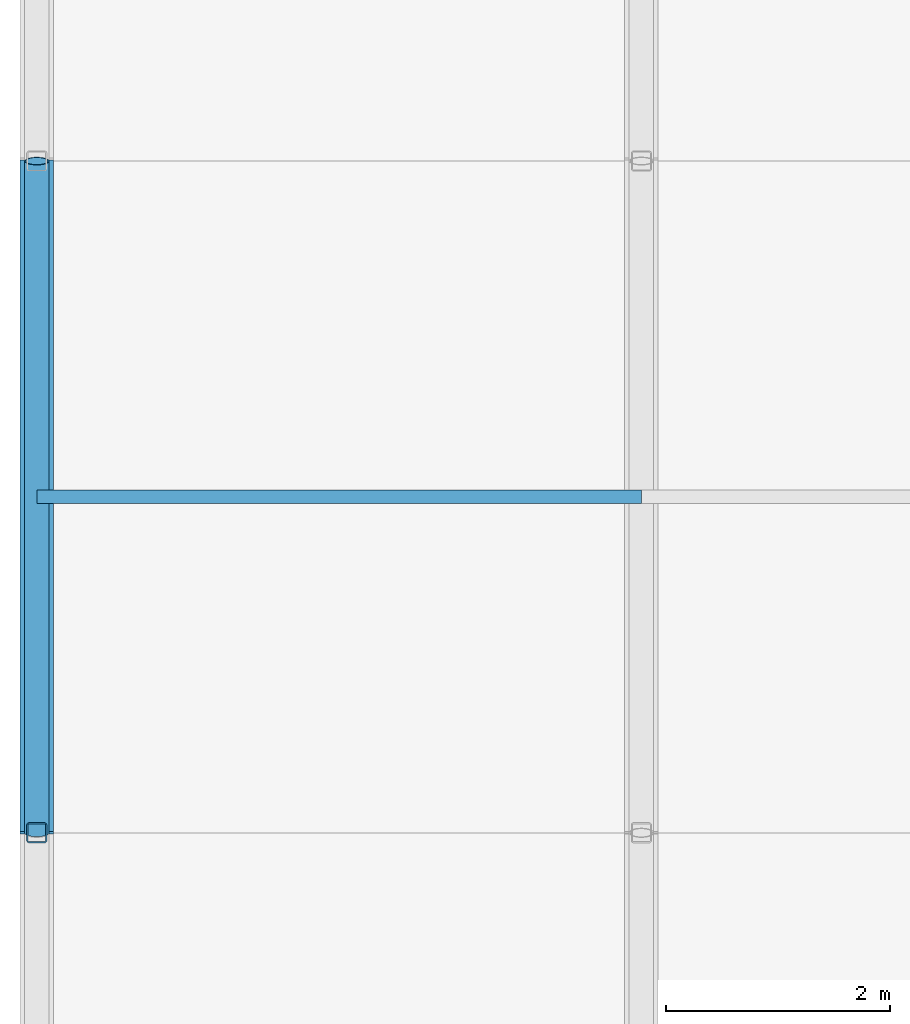
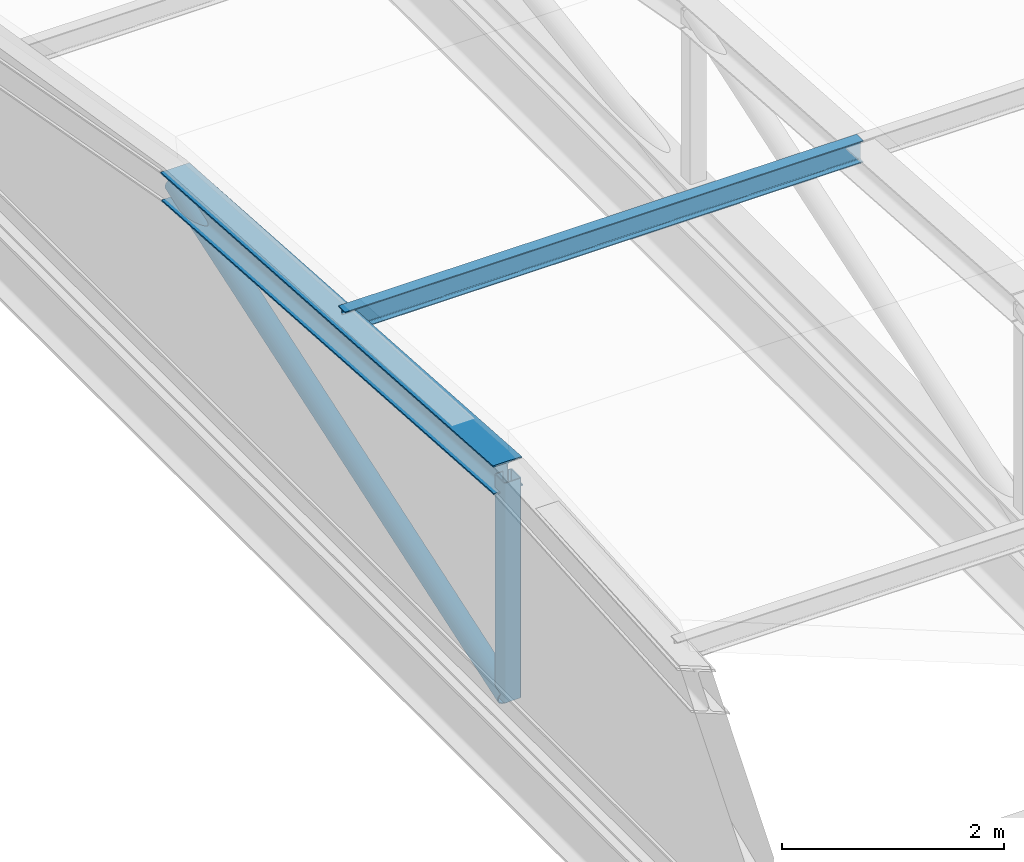
# One storey, part 23 of 76: 3 members, 1 beam.
"""IFC4 building model written with IfcOpenShell, lengths in metres."""

from ifc_helpers import new_model, si_unit, direction, frame, origin, origin_2d, place, context, subcontext, project, spatial, hollow_rectangle, hollow_circle, i_section, extrude, material, material_profile, profile_set, type_object, element, save


model = new_model("IFC4")

# Units and contexts
model_context = context("Model", 3, precision=1e-05, world=origin(), true_north=direction((0.0, 1.0)))
body_context = subcontext(model_context, "Body", "Model", "MODEL_VIEW")
ifc_project = project(units=[si_unit("LENGTHUNIT", "METRE"), si_unit("AREAUNIT", "SQUARE_METRE"), si_unit("VOLUMEUNIT", "CUBIC_METRE"), si_unit("PLANEANGLEUNIT", "RADIAN"), si_unit("MASSUNIT", "GRAM", prefix="KILO")], contexts=[model_context])

# Site, building, storey
site_placement = place(None, origin())
site = spatial("IfcSite", under=ifc_project, at=site_placement, CompositionType="ELEMENT")
building_placement = place(site_placement, origin())
building = spatial("IfcBuilding", under=site, at=building_placement, Name="Zlatovets Crest Museum", CompositionType="ELEMENT")
storey_placement = place(building_placement, frame((0.0, 0.0, 17.10009765625)))
storey = spatial("IfcBuildingStorey", under=building, at=storey_placement, Name="L04", CompositionType="ELEMENT", Elevation=17.10009765625)

# Beam
ifc_material = material(Name="Structural steel S355J2", Category="steel")
ifc_material_profile_1 = material_profile(ifc_material, i_section(OverallWidth=0.1201171875, OverallDepth=0.239990234375, WebThickness=0.006103515625, FlangeThickness=0.009765625, FilletRadius=0.014892578125, at=origin_2d()), Name="IPE 240")
ifc_profile_set_1 = profile_set([ifc_material_profile_1], Name="Structural steel S355J2")
beam_type = type_object("IfcBeamType", Name="Beam_PR-01", PredefinedType="BEAM", material=ifc_profile_set_1)
beam_placement = place(storey_placement, frame((-3.60009765625, 78.60009765625, 2.39892578125), z_axis=(1.0, 0.0, 0.0), x_axis=(0.0, 1.0, 0.0)))
element("IfcBeam", 1, at=beam_placement, inside=storey, type_object=beam_type, Name="V4 Barrel Vault Longitudinal Purlin", PredefinedType="BEAM", context=body_context, shape_type="SweptSolid", body=[
    extrude(i_section(OverallWidth=0.1201171875, OverallDepth=0.239990234375, WebThickness=0.006103515625, FlangeThickness=0.009765625, FilletRadius=0.014892578125, at=origin_2d()), origin(), (0.0, 0.0, 1.0), 5.400146484375),
])

# Members
ifc_material_profile_2 = material_profile(ifc_material, i_section(OverallWidth=0.300048828125, OverallDepth=0.31005859375, WebThickness=0.009033203125, FlangeThickness=0.015380859375, FilletRadius=0.027099609375, at=origin_2d()), Name="HEA 320")
ifc_profile_set_2 = profile_set([ifc_material_profile_2], Name="Structural steel S355J2")
member_type_1 = type_object("IfcMemberType", Name="Member_TM-02", PredefinedType="RAFTER", material=ifc_profile_set_2)
member_1_placement = place(storey_placement, frame((-3.60009765625, 75.60009765625, 2.5), z_axis=(0.0, 0.997761923521, -0.066866613283), x_axis=(-1.0, 0.0, 0.0)))
element("IfcMember", 2, at=member_1_placement, inside=storey, type_object=member_type_1, Name="V4 Art Nouveau Curved Vault Rib", PredefinedType="RAFTER", context=body_context, shape_type="SweptSolid", body=[
    extrude(i_section(OverallWidth=0.300048828125, OverallDepth=0.31005859375, WebThickness=0.009033203125, FlangeThickness=0.015380859375, FilletRadius=0.027099609375, at=origin_2d()), origin(), (0.0, 0.0, 1.0), 6.013427734375),
])
ifc_material_profile_3 = material_profile(ifc_material, hollow_rectangle(XDim=0.179931640625, YDim=0.179931640625, WallThickness=0.010009765625, InnerFilletRadius=0.010009765625, OuterFilletRadius=0.02001953125, at=origin_2d()), Name="SHS 180x180x10.0")
ifc_profile_set_3 = profile_set([ifc_material_profile_3], Name="Structural steel S355J2")
member_type_2 = type_object("IfcMemberType", Name="Member_TM-04", PredefinedType="STRUT", material=ifc_profile_set_3)
member_2_placement = place(storey_placement, frame((-3.60009765625, 75.60009765625, 0.079833984375), z_axis=(0.0, 0.0, 1.0), x_axis=(1.0, 0.0, 0.0)))
element("IfcMember", 3, at=member_2_placement, inside=storey, type_object=member_type_2, Name="V4 Barrel Vault Web Strut", PredefinedType="STRUT", context=body_context, shape_type="SweptSolid", body=[
    extrude(hollow_rectangle(XDim=0.179931640625, YDim=0.179931640625, WallThickness=0.010009765625, InnerFilletRadius=0.010009765625, OuterFilletRadius=0.02001953125, at=origin_2d()), origin(), (0.0, 0.0, 1.0), 2.420166015625),
])
ifc_material_profile_4 = material_profile(ifc_material, hollow_circle(Radius=0.109619140625, WallThickness=0.010009765625, at=origin_2d()), Name="CHS 219.1x10.0")
ifc_profile_set_4 = profile_set([ifc_material_profile_4], Name="Structural steel S355J2")
member_type_3 = type_object("IfcMemberType", Name="Member_TM-05", PredefinedType="BRACE", material=ifc_profile_set_4)
member_3_placement = place(storey_placement, frame((-3.60009765625, 75.60009765625, 0.079833984375), z_axis=(0.0, 0.947823632503, 0.318795171967), x_axis=(-1.0, 0.0, 0.0)))
element("IfcMember", 4, at=member_3_placement, inside=storey, type_object=member_type_3, Name="V4 Barrel Vault Web Diagonal", PredefinedType="BRACE", context=body_context, shape_type="SweptSolid", body=[
    extrude(hollow_circle(Radius=0.109619140625, WallThickness=0.010009765625, at=origin_2d()), origin(), (0.0, 0.0, 1.0), 6.330322265625),
])

save(model, "model.ifc")
